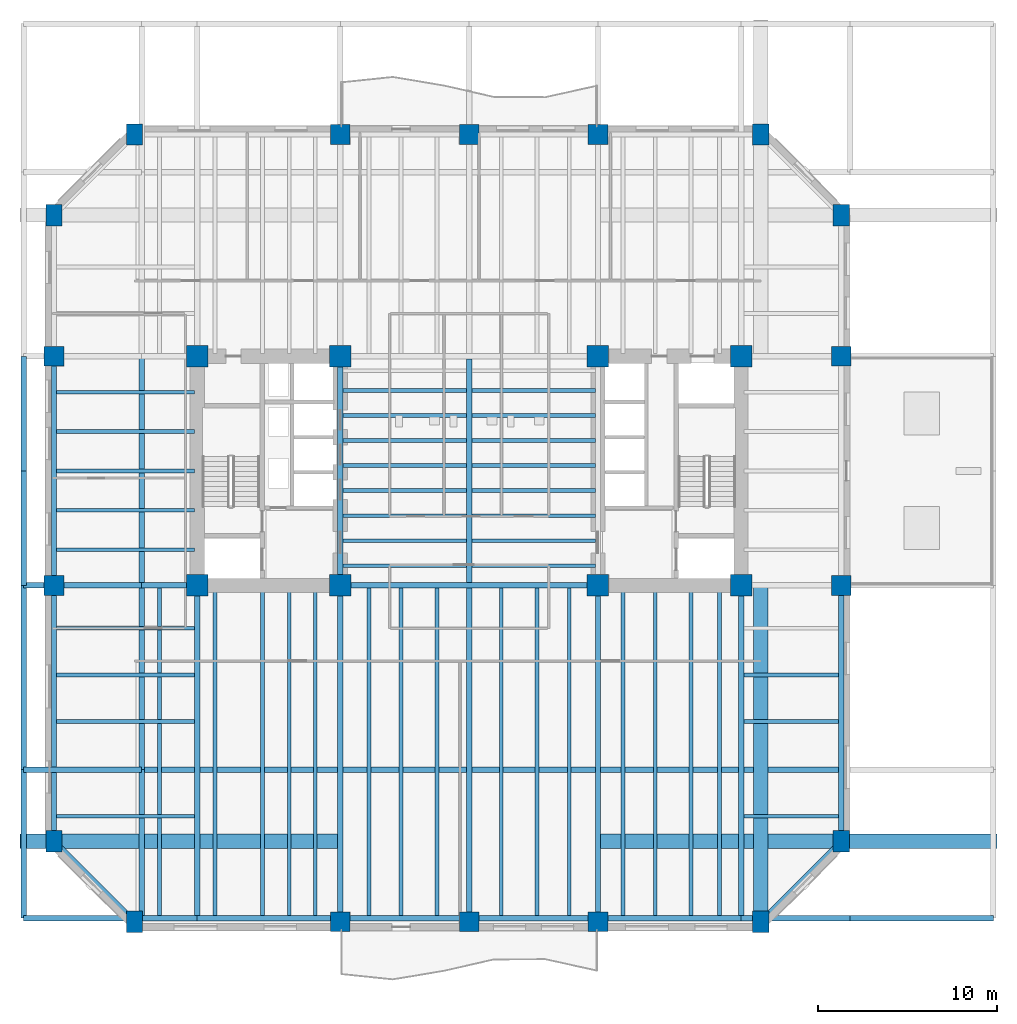
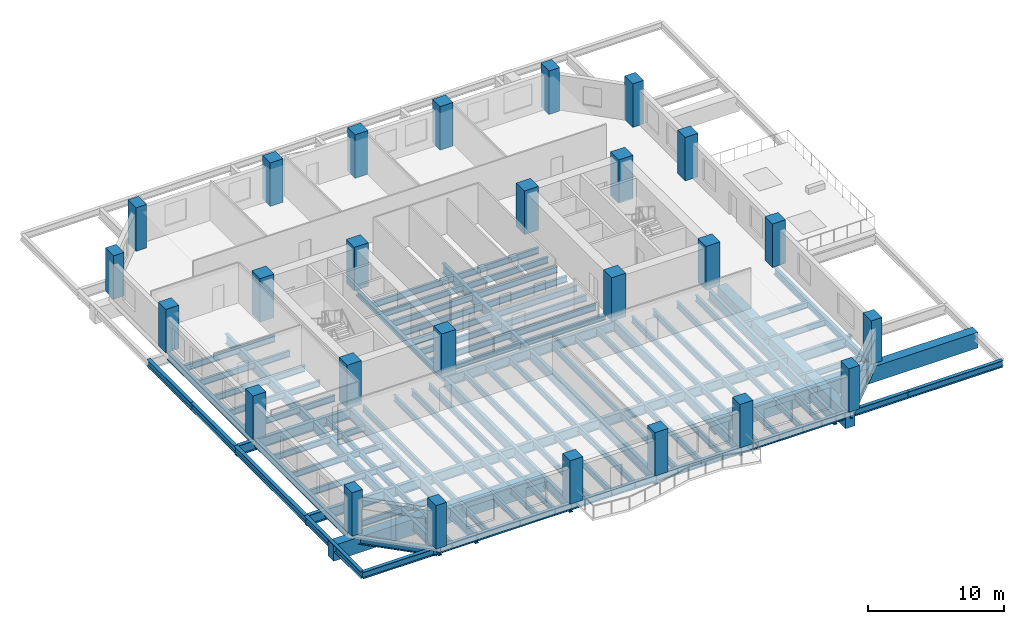
# One storey, part 1 of 11: 78 beams, 26 columns.
"""IFC4 building model written with IfcOpenShell, lengths in metres."""

from ifc_helpers import new_model, si_unit, direction, frame, origin, origin_2d, place, context, subcontext, project, spatial, rectangle, i_section, extrude, material, material_profile, profile_set, type_object, element, save


model = new_model("IFC4")

# Units and contexts
model_context = context("Model", 3, precision=1e-05, world=origin(), true_north=direction((0.0, 1.0)))
body_context = subcontext(model_context, "Body", "Model", "MODEL_VIEW")
ifc_project = project(units=[si_unit("LENGTHUNIT", "METRE"), si_unit("AREAUNIT", "SQUARE_METRE"), si_unit("VOLUMEUNIT", "CUBIC_METRE"), si_unit("PLANEANGLEUNIT", "RADIAN"), si_unit("MASSUNIT", "GRAM", prefix="KILO")], contexts=[model_context])

# Site, building, storey
site_placement = place(None, origin())
site = spatial("IfcSite", under=ifc_project, at=site_placement, CompositionType="ELEMENT")
building_placement = place(site_placement, origin())
building = spatial("IfcBuilding", under=site, at=building_placement, Name="Kranthara Brick Stack", CompositionType="ELEMENT")
storey_placement = place(building_placement, frame((0.0, 0.0, 24.300048828125)))
storey = spatial("IfcBuildingStorey", under=building, at=storey_placement, Name="L05", CompositionType="ELEMENT", Elevation=24.300048828125)

# Columns
ifc_material_1 = material(Name="Concrete C70/85", Category="concrete")
ifc_material_profile_1 = material_profile(ifc_material_1, rectangle(XDim=0.89990234375, YDim=1.199951171875, at=origin_2d()), Name="RC 900x1200")
ifc_profile_set_1 = profile_set([ifc_material_profile_1], Name="Concrete C70/85")
column_type_1 = type_object("IfcColumnType", Name="COL-CHAM-900x1200", PredefinedType="COLUMN", material=ifc_profile_set_1)
for number, where, z_axis, x_axis, name in (
    (1, (9.300048828125, 2.0, 0.0), (0.0, 0.0, 1.0), (1.0, 0.0, 0.0), "L05 Column 09"),
    (2, (9.300048828125, 46.0, 0.0), (0.0, 0.0, 1.0), (1.0, 0.0, 0.0), "L05 Column 10"),
    (3, (44.300048828125, 2.0, 0.0), (0.0, 0.0, 1.0), (1.0, 0.0, 0.0), "L05 Column 17"),
    (4, (44.300048828125, 46.0, 0.0), (0.0, 0.0, 1.0), (1.0, 0.0, 0.0), "L05 Column 18"),
    (5, (4.800048828125, 6.5, 0.0), (0.0, 0.0, 1.0), (1.0, 0.0, 0.0), "L05 Column 19"),
    (6, (48.800048828125, 6.5, 0.0), (0.0, 0.0, 1.0), (1.0, 0.0, 0.0), "L05 Column 20"),
    (7, (4.800048828125, 41.5, 0.0), (0.0, 0.0, 1.0), (1.0, 0.0, 0.0), "L05 Column 25"),
    (8, (48.800048828125, 41.5, 0.0), (0.0, 0.0, 1.0), (1.0, 0.0, 0.0), "L05 Column 26"),
):
    element("IfcColumn", number, at=place(storey_placement, frame(where, z_axis=z_axis, x_axis=x_axis)), inside=storey, type_object=column_type_1, Name=name, PredefinedType="COLUMN", context=body_context, shape_type="SweptSolid", body=[
        extrude(rectangle(XDim=0.89990234375, YDim=1.199951171875, at=origin_2d()), origin(), (0.0, 0.0, 1.0), 3.89990234375),
    ])
ifc_material_2 = material(Name="Concrete C70/85", Category="concrete")
ifc_material_profile_2 = material_profile(ifc_material_2, rectangle(XDim=1.199951171875, YDim=1.199951171875, at=origin_2d()), Name="RC 1200x1200")
ifc_profile_set_2 = profile_set([ifc_material_profile_2], Name="Concrete C70/85")
column_type_2 = type_object("IfcColumnType", Name="COL-CORE-1200", PredefinedType="COLUMN", material=ifc_profile_set_2)
for number, where, z_axis, x_axis, name in (
    (9, (12.800048828125, 20.800048828125, 0.0), (0.0, 0.0, 1.0), (1.0, 0.0, 0.0), "L05 Column 01"),
    (10, (20.800048828125, 20.800048828125, 0.0), (0.0, 0.0, 1.0), (1.0, 0.0, 0.0), "L05 Column 02"),
    (11, (12.800048828125, 33.60009765625, 0.0), (0.0, 0.0, 1.0), (1.0, 0.0, 0.0), "L05 Column 03"),
    (12, (20.800048828125, 33.60009765625, 0.0), (0.0, 0.0, 1.0), (1.0, 0.0, 0.0), "L05 Column 04"),
    (13, (35.199951171875, 20.800048828125, 0.0), (0.0, 0.0, 1.0), (1.0, 0.0, 0.0), "L05 Column 05"),
    (14, (43.199951171875, 20.800048828125, 0.0), (0.0, 0.0, 1.0), (1.0, 0.0, 0.0), "L05 Column 06"),
    (15, (35.199951171875, 33.60009765625, 0.0), (0.0, 0.0, 1.0), (1.0, 0.0, 0.0), "L05 Column 07"),
    (16, (43.199951171875, 33.60009765625, 0.0), (0.0, 0.0, 1.0), (1.0, 0.0, 0.0), "L05 Column 08"),
):
    element("IfcColumn", number, at=place(storey_placement, frame(where, z_axis=z_axis, x_axis=x_axis)), inside=storey, type_object=column_type_2, Name=name, PredefinedType="COLUMN", context=body_context, shape_type="SweptSolid", body=[
        extrude(rectangle(XDim=1.199951171875, YDim=1.199951171875, at=origin_2d()), origin(), (0.0, 0.0, 1.0), 3.89990234375),
    ])
ifc_material_3 = material(Name="Concrete C70/85", Category="concrete")
ifc_material_profile_3 = material_profile(ifc_material_3, rectangle(XDim=1.10009765625, YDim=1.10009765625, at=origin_2d()), Name="RC 1100x1100")
ifc_profile_set_3 = profile_set([ifc_material_profile_3], Name="Concrete C70/85")
column_type_3 = type_object("IfcColumnType", Name="COL-PER-1100", PredefinedType="COLUMN", material=ifc_profile_set_3)
for number, where, z_axis, x_axis, name in (
    (17, (20.800048828125, 2.0, 0.0), (0.0, 0.0, 1.0), (1.0, 0.0, 0.0), "L05 Column 11"),
    (18, (20.800048828125, 46.0, 0.0), (0.0, 0.0, 1.0), (1.0, 0.0, 0.0), "L05 Column 12"),
    (19, (28.0, 2.0, 0.0), (0.0, 0.0, 1.0), (1.0, 0.0, 0.0), "L05 Column 13"),
    (20, (28.0, 46.0, 0.0), (0.0, 0.0, 1.0), (1.0, 0.0, 0.0), "L05 Column 14"),
    (21, (35.199951171875, 2.0, 0.0), (0.0, 0.0, 1.0), (1.0, 0.0, 0.0), "L05 Column 15"),
    (22, (35.199951171875, 46.0, 0.0), (0.0, 0.0, 1.0), (1.0, 0.0, 0.0), "L05 Column 16"),
    (23, (4.800048828125, 20.800048828125, 0.0), (0.0, 0.0, 1.0), (1.0, 0.0, 0.0), "L05 Column 21"),
    (24, (48.800048828125, 20.800048828125, 0.0), (0.0, 0.0, 1.0), (1.0, 0.0, 0.0), "L05 Column 22"),
    (25, (4.800048828125, 33.60009765625, 0.0), (0.0, 0.0, 1.0), (1.0, 0.0, 0.0), "L05 Column 23"),
    (26, (48.800048828125, 33.60009765625, 0.0), (0.0, 0.0, 1.0), (1.0, 0.0, 0.0), "L05 Column 24"),
):
    element("IfcColumn", number, at=place(storey_placement, frame(where, z_axis=z_axis, x_axis=x_axis)), inside=storey, type_object=column_type_3, Name=name, PredefinedType="COLUMN", context=body_context, shape_type="SweptSolid", body=[
        extrude(rectangle(XDim=1.10009765625, YDim=1.10009765625, at=origin_2d()), origin(), (0.0, 0.0, 1.0), 3.89990234375),
    ])

# Beams
ifc_material_4 = material(Name="Steel S355", Category="steel")
ifc_material_profile_4 = material_profile(ifc_material_4, i_section(OverallWidth=0.2099609375, OverallDepth=0.550048828125, WebThickness=0.010986328125, FlangeThickness=0.01708984375, at=origin_2d()), Name="IPE 550")
ifc_profile_set_4 = profile_set([ifc_material_profile_4], Name="Steel S355")
beam_type_1 = type_object("IfcBeamType", Name="BM-JST-IPE550", PredefinedType="JOIST", material=ifc_profile_set_4)
for number, where, z_axis, x_axis, name in (
    (27, (20.949951171875, 21.89990234375, -0.72509765625), (1.0, 0.0, 0.0), (0.0, 1.0, 0.0), "L05 Central Floor Joist 084"),
    (28, (28.14990234375, 21.89990234375, -0.72509765625), (1.0, 0.0, 0.0), (0.0, 1.0, 0.0), "L05 Central Floor Joist 085"),
    (29, (20.949951171875, 23.300048828125, -0.72509765625), (1.0, 0.0, 0.0), (0.0, 1.0, 0.0), "L05 Central Floor Joist 086"),
    (30, (28.14990234375, 23.300048828125, -0.72509765625), (1.0, 0.0, 0.0), (0.0, 1.0, 0.0), "L05 Central Floor Joist 087"),
    (31, (20.949951171875, 24.699951171875, -0.72509765625), (1.0, 0.0, 0.0), (0.0, 1.0, 0.0), "L05 Central Floor Joist 088"),
    (32, (28.14990234375, 24.699951171875, -0.72509765625), (1.0, 0.0, 0.0), (0.0, 1.0, 0.0), "L05 Central Floor Joist 089"),
    (33, (20.949951171875, 26.10009765625, -0.72509765625), (1.0, 0.0, 0.0), (0.0, 1.0, 0.0), "L05 Central Floor Joist 090"),
    (34, (28.14990234375, 26.10009765625, -0.72509765625), (1.0, 0.0, 0.0), (0.0, 1.0, 0.0), "L05 Central Floor Joist 091"),
    (35, (20.949951171875, 27.5, -0.72509765625), (1.0, 0.0, 0.0), (0.0, 1.0, 0.0), "L05 Central Floor Joist 092"),
    (36, (28.14990234375, 27.5, -0.72509765625), (1.0, 0.0, 0.0), (0.0, 1.0, 0.0), "L05 Central Floor Joist 093"),
    (37, (20.949951171875, 28.89990234375, -0.72509765625), (1.0, 0.0, 0.0), (0.0, 1.0, 0.0), "L05 Central Floor Joist 094"),
    (38, (28.14990234375, 28.89990234375, -0.72509765625), (1.0, 0.0, 0.0), (0.0, 1.0, 0.0), "L05 Central Floor Joist 095"),
    (39, (20.949951171875, 30.300048828125, -0.72509765625), (1.0, 0.0, 0.0), (0.0, 1.0, 0.0), "L05 Central Floor Joist 096"),
    (40, (28.14990234375, 30.300048828125, -0.72509765625), (1.0, 0.0, 0.0), (0.0, 1.0, 0.0), "L05 Central Floor Joist 097"),
    (41, (20.949951171875, 31.699951171875, -0.72509765625), (1.0, 0.0, 0.0), (0.0, 1.0, 0.0), "L05 Central Floor Joist 098"),
    (42, (28.14990234375, 31.699951171875, -0.72509765625), (1.0, 0.0, 0.0), (0.0, 1.0, 0.0), "L05 Central Floor Joist 099"),
):
    element("IfcBeam", number, at=place(storey_placement, frame(where, z_axis=z_axis, x_axis=x_axis)), inside=storey, type_object=beam_type_1, Name=name, PredefinedType="JOIST", context=body_context, shape_type="SweptSolid", body=[
        extrude(i_section(OverallWidth=0.2099609375, OverallDepth=0.550048828125, WebThickness=0.010986328125, FlangeThickness=0.01708984375, at=origin_2d()), origin(), (0.0, 0.0, 1.0), 6.900146484375),
    ])
for number, where, z_axis, x_axis, name in (
    (43, (10.699951171875, 2.14990234375, -0.72509765625), (0.0, 1.0, 0.0), (-1.0, 0.0, 0.0), "L05 South Wing Floor Joist 102"),
    (44, (13.800048828125, 2.14990234375, -0.72509765625), (0.0, 1.0, 0.0), (-1.0, 0.0, 0.0), "L05 South Wing Floor Joist 104"),
    (45, (16.449951171875, 2.14990234375, -0.72509765625), (0.0, 1.0, 0.0), (-1.0, 0.0, 0.0), "L05 South Wing Floor Joist 106"),
    (46, (17.949951171875, 2.14990234375, -0.72509765625), (0.0, 1.0, 0.0), (-1.0, 0.0, 0.0), "L05 South Wing Floor Joist 108"),
    (47, (19.39990234375, 2.14990234375, -0.72509765625), (0.0, 1.0, 0.0), (-1.0, 0.0, 0.0), "L05 South Wing Floor Joist 110"),
    (48, (22.39990234375, 2.14990234375, -0.72509765625), (0.0, 1.0, 0.0), (-1.0, 0.0, 0.0), "L05 South Wing Floor Joist 112"),
    (49, (24.199951171875, 2.14990234375, -0.72509765625), (0.0, 1.0, 0.0), (-1.0, 0.0, 0.0), "L05 South Wing Floor Joist 114"),
    (50, (26.199951171875, 2.14990234375, -0.72509765625), (0.0, 1.0, 0.0), (-1.0, 0.0, 0.0), "L05 South Wing Floor Joist 116"),
    (51, (29.800048828125, 2.14990234375, -0.72509765625), (0.0, 1.0, 0.0), (-1.0, 0.0, 0.0), "L05 South Wing Floor Joist 118"),
    (52, (31.800048828125, 2.14990234375, -0.72509765625), (0.0, 1.0, 0.0), (-1.0, 0.0, 0.0), "L05 South Wing Floor Joist 120"),
    (53, (33.60009765625, 2.14990234375, -0.72509765625), (0.0, 1.0, 0.0), (-1.0, 0.0, 0.0), "L05 South Wing Floor Joist 122"),
    (54, (36.60009765625, 2.14990234375, -0.72509765625), (0.0, 1.0, 0.0), (-1.0, 0.0, 0.0), "L05 South Wing Floor Joist 124"),
    (55, (38.39990234375, 2.14990234375, -0.72509765625), (0.0, 1.0, 0.0), (-1.0, 0.0, 0.0), "L05 South Wing Floor Joist 126"),
    (56, (40.39990234375, 2.14990234375, -0.72509765625), (0.0, 1.0, 0.0), (-1.0, 0.0, 0.0), "L05 South Wing Floor Joist 128"),
    (57, (42.0, 2.14990234375, -0.72509765625), (0.0, 1.0, 0.0), (-1.0, 0.0, 0.0), "L05 South Wing Floor Joist 130"),
):
    element("IfcBeam", number, at=place(storey_placement, frame(where, z_axis=z_axis, x_axis=x_axis)), inside=storey, type_object=beam_type_1, Name=name, PredefinedType="JOIST", context=body_context, shape_type="SweptSolid", body=[
        extrude(i_section(OverallWidth=0.2099609375, OverallDepth=0.550048828125, WebThickness=0.010986328125, FlangeThickness=0.01708984375, at=origin_2d()), origin(), (0.0, 0.0, 1.0), 18.5),
    ])
beam_1_placement = place(storey_placement, frame((4.949951171875, 7.89990234375, -0.72509765625), z_axis=(1.0, 0.0, 0.0), x_axis=(0.0, 1.0, 0.0)))
element("IfcBeam", 58, at=beam_1_placement, inside=storey, type_object=beam_type_1, Name="L05 West Wing Floor Joist 132", PredefinedType="JOIST", context=body_context, shape_type="SweptSolid", body=[
    extrude(i_section(OverallWidth=0.2099609375, OverallDepth=0.550048828125, WebThickness=0.010986328125, FlangeThickness=0.01708984375, at=origin_2d()), origin(), (0.0, 0.0, 1.0), 7.699951171875),
])
beam_2_placement = place(storey_placement, frame((43.35009765625, 7.89990234375, -0.72509765625), z_axis=(1.0, 0.0, 0.0), x_axis=(0.0, 1.0, 0.0)))
element("IfcBeam", 59, at=beam_2_placement, inside=storey, type_object=beam_type_1, Name="L05 East Wing Floor Joist 133", PredefinedType="JOIST", context=body_context, shape_type="SweptSolid", body=[
    extrude(i_section(OverallWidth=0.2099609375, OverallDepth=0.550048828125, WebThickness=0.010986328125, FlangeThickness=0.01708984375, at=origin_2d()), origin(), (0.0, 0.0, 1.0), 5.2998046875),
])
beam_3_placement = place(storey_placement, frame((4.949951171875, 13.199951171875, -0.72509765625), z_axis=(1.0, 0.0, 0.0), x_axis=(0.0, 1.0, 0.0)))
element("IfcBeam", 60, at=beam_3_placement, inside=storey, type_object=beam_type_1, Name="L05 West Wing Floor Joist 134", PredefinedType="JOIST", context=body_context, shape_type="SweptSolid", body=[
    extrude(i_section(OverallWidth=0.2099609375, OverallDepth=0.550048828125, WebThickness=0.010986328125, FlangeThickness=0.01708984375, at=origin_2d()), origin(), (0.0, 0.0, 1.0), 7.699951171875),
])
beam_4_placement = place(storey_placement, frame((43.35009765625, 13.199951171875, -0.72509765625), z_axis=(1.0, 0.0, 0.0), x_axis=(0.0, 1.0, 0.0)))
element("IfcBeam", 61, at=beam_4_placement, inside=storey, type_object=beam_type_1, Name="L05 East Wing Floor Joist 135", PredefinedType="JOIST", context=body_context, shape_type="SweptSolid", body=[
    extrude(i_section(OverallWidth=0.2099609375, OverallDepth=0.550048828125, WebThickness=0.010986328125, FlangeThickness=0.01708984375, at=origin_2d()), origin(), (0.0, 0.0, 1.0), 5.2998046875),
])
beam_5_placement = place(storey_placement, frame((4.949951171875, 15.800048828125, -0.72509765625), z_axis=(1.0, 0.0, 0.0), x_axis=(0.0, 1.0, 0.0)))
element("IfcBeam", 62, at=beam_5_placement, inside=storey, type_object=beam_type_1, Name="L05 West Wing Floor Joist 136", PredefinedType="JOIST", context=body_context, shape_type="SweptSolid", body=[
    extrude(i_section(OverallWidth=0.2099609375, OverallDepth=0.550048828125, WebThickness=0.010986328125, FlangeThickness=0.01708984375, at=origin_2d()), origin(), (0.0, 0.0, 1.0), 7.699951171875),
])
beam_6_placement = place(storey_placement, frame((43.35009765625, 15.800048828125, -0.72509765625), z_axis=(1.0, 0.0, 0.0), x_axis=(0.0, 1.0, 0.0)))
element("IfcBeam", 63, at=beam_6_placement, inside=storey, type_object=beam_type_1, Name="L05 East Wing Floor Joist 137", PredefinedType="JOIST", context=body_context, shape_type="SweptSolid", body=[
    extrude(i_section(OverallWidth=0.2099609375, OverallDepth=0.550048828125, WebThickness=0.010986328125, FlangeThickness=0.01708984375, at=origin_2d()), origin(), (0.0, 0.0, 1.0), 5.2998046875),
])
for number, where, z_axis, x_axis, name in (
    (64, (4.949951171875, 18.39990234375, -0.72509765625), (1.0, 0.0, 0.0), (0.0, 1.0, 0.0), "L05 West Wing Floor Joist 138"),
    (65, (4.949951171875, 22.800048828125, -0.72509765625), (1.0, 0.0, 0.0), (0.0, 1.0, 0.0), "L05 West Wing Floor Joist 140"),
    (66, (4.949951171875, 25.0, -0.72509765625), (1.0, 0.0, 0.0), (0.0, 1.0, 0.0), "L05 West Wing Floor Joist 142"),
    (67, (4.949951171875, 27.199951171875, -0.72509765625), (1.0, 0.0, 0.0), (0.0, 1.0, 0.0), "L05 West Wing Floor Joist 144"),
    (68, (4.949951171875, 29.39990234375, -0.72509765625), (1.0, 0.0, 0.0), (0.0, 1.0, 0.0), "L05 West Wing Floor Joist 146"),
    (69, (4.949951171875, 31.60009765625, -0.72509765625), (1.0, 0.0, 0.0), (0.0, 1.0, 0.0), "L05 West Wing Floor Joist 148"),
):
    element("IfcBeam", number, at=place(storey_placement, frame(where, z_axis=z_axis, x_axis=x_axis)), inside=storey, type_object=beam_type_1, Name=name, PredefinedType="JOIST", context=body_context, shape_type="SweptSolid", body=[
        extrude(i_section(OverallWidth=0.2099609375, OverallDepth=0.550048828125, WebThickness=0.010986328125, FlangeThickness=0.01708984375, at=origin_2d()), origin(), (0.0, 0.0, 1.0), 7.699951171875),
    ])
ifc_material_5 = material(Name="Steel S355", Category="steel")
ifc_material_profile_5 = material_profile(ifc_material_5, i_section(OverallWidth=0.300048828125, OverallDepth=0.449951171875, WebThickness=0.013916015625, FlangeThickness=0.02587890625, at=origin_2d()), Name="HEB 450")
ifc_profile_set_5 = profile_set([ifc_material_profile_5], Name="Steel S355")
beam_type_2 = type_object("IfcBeamType", Name="BM-STL-HEB450", PredefinedType="SPANDREL", material=ifc_profile_set_5)
beam_7_placement = place(storey_placement, frame((20.800048828125, 20.800048828125, -0.675048828125), z_axis=(0.0, 1.0, 0.0), x_axis=(-1.0, 0.0, 0.0)))
element("IfcBeam", 70, at=beam_7_placement, inside=storey, type_object=beam_type_2, Name="L05 Core Edge Tie Beam 003", PredefinedType="SPANDREL", context=body_context, shape_type="SweptSolid", body=[
    extrude(i_section(OverallWidth=0.300048828125, OverallDepth=0.449951171875, WebThickness=0.013916015625, FlangeThickness=0.02587890625, at=origin_2d()), origin(), (0.0, 0.0, 1.0), 12.800048828125),
])
ifc_material_6 = material(Name="Steel S355", Category="steel")
ifc_material_profile_6 = material_profile(ifc_material_6, i_section(OverallWidth=0.300048828125, OverallDepth=0.60009765625, WebThickness=0.015380859375, FlangeThickness=0.030029296875, at=origin_2d()), Name="HEB 600")
ifc_profile_set_6 = profile_set([ifc_material_profile_6], Name="Steel S355")
beam_type_3 = type_object("IfcBeamType", Name="BM-STL-HEB600", PredefinedType="BEAM", material=ifc_profile_set_6)
beam_8_placement = place(storey_placement, frame((3.10009765625, 2.199951171875, -0.75), z_axis=(1.0, 0.0, 0.0), x_axis=(0.0, 1.0, 0.0)))
element("IfcBeam", 71, at=beam_8_placement, inside=storey, type_object=beam_type_3, Name="L05 Perimeter Spandrel Beam 005", PredefinedType="BEAM", context=body_context, shape_type="SweptSolid", body=[
    extrude(i_section(OverallWidth=0.300048828125, OverallDepth=0.60009765625, WebThickness=0.015380859375, FlangeThickness=0.030029296875, at=origin_2d()), origin(), (0.0, 0.0, 1.0), 6.599853515625),
])
beam_9_placement = place(storey_placement, frame((9.699951171875, 2.199951171875, -0.75), z_axis=(1.0, 0.0, 0.0), x_axis=(0.0, 1.0, 0.0)))
element("IfcBeam", 72, at=beam_9_placement, inside=storey, type_object=beam_type_3, Name="L05 Perimeter Spandrel Beam 006", PredefinedType="BEAM", context=body_context, shape_type="SweptSolid", body=[
    extrude(i_section(OverallWidth=0.300048828125, OverallDepth=0.60009765625, WebThickness=0.015380859375, FlangeThickness=0.030029296875, at=origin_2d()), origin(), (0.0, 0.0, 1.0), 3.10009765625),
])
beam_10_placement = place(storey_placement, frame((12.800048828125, 2.199951171875, -0.75), z_axis=(1.0, 0.0, 0.0), x_axis=(0.0, 1.0, 0.0)))
element("IfcBeam", 73, at=beam_10_placement, inside=storey, type_object=beam_type_3, Name="L05 Perimeter Spandrel Beam 007", PredefinedType="BEAM", context=body_context, shape_type="SweptSolid", body=[
    extrude(i_section(OverallWidth=0.300048828125, OverallDepth=0.60009765625, WebThickness=0.015380859375, FlangeThickness=0.030029296875, at=origin_2d()), origin(), (0.0, 0.0, 1.0), 8.0),
])
for number, where, z_axis, x_axis, name in (
    (74, (20.800048828125, 2.199951171875, -0.75), (1.0, 0.0, 0.0), (0.0, 1.0, 0.0), "L05 Perimeter Spandrel Beam 008"),
    (75, (28.0, 2.199951171875, -0.75), (1.0, 0.0, 0.0), (0.0, 1.0, 0.0), "L05 Perimeter Spandrel Beam 009"),
):
    element("IfcBeam", number, at=place(storey_placement, frame(where, z_axis=z_axis, x_axis=x_axis)), inside=storey, type_object=beam_type_3, Name=name, PredefinedType="BEAM", context=body_context, shape_type="SweptSolid", body=[
        extrude(i_section(OverallWidth=0.300048828125, OverallDepth=0.60009765625, WebThickness=0.015380859375, FlangeThickness=0.030029296875, at=origin_2d()), origin(), (0.0, 0.0, 1.0), 7.199951171875),
    ])
beam_11_placement = place(storey_placement, frame((35.199951171875, 2.199951171875, -0.75), z_axis=(1.0, 0.0, 0.0), x_axis=(0.0, 1.0, 0.0)))
element("IfcBeam", 76, at=beam_11_placement, inside=storey, type_object=beam_type_3, Name="L05 Perimeter Spandrel Beam 010", PredefinedType="BEAM", context=body_context, shape_type="SweptSolid", body=[
    extrude(i_section(OverallWidth=0.300048828125, OverallDepth=0.60009765625, WebThickness=0.015380859375, FlangeThickness=0.030029296875, at=origin_2d()), origin(), (0.0, 0.0, 1.0), 8.0),
])
beam_12_placement = place(storey_placement, frame((43.199951171875, 2.199951171875, -0.75), z_axis=(1.0, 0.0, 0.0), x_axis=(0.0, 1.0, 0.0)))
element("IfcBeam", 77, at=beam_12_placement, inside=storey, type_object=beam_type_3, Name="L05 Perimeter Spandrel Beam 011", PredefinedType="BEAM", context=body_context, shape_type="SweptSolid", body=[
    extrude(i_section(OverallWidth=0.300048828125, OverallDepth=0.60009765625, WebThickness=0.015380859375, FlangeThickness=0.030029296875, at=origin_2d()), origin(), (0.0, 0.0, 1.0), 6.10009765625),
])
beam_13_placement = place(storey_placement, frame((49.300048828125, 2.199951171875, -0.75), z_axis=(1.0, 0.0, 0.0), x_axis=(0.0, 1.0, 0.0)))
element("IfcBeam", 78, at=beam_13_placement, inside=storey, type_object=beam_type_3, Name="L05 Perimeter Spandrel Beam 012", PredefinedType="BEAM", context=body_context, shape_type="SweptSolid", body=[
    extrude(i_section(OverallWidth=0.300048828125, OverallDepth=0.60009765625, WebThickness=0.015380859375, FlangeThickness=0.030029296875, at=origin_2d()), origin(), (0.0, 0.0, 1.0), 8.0),
])
beam_14_placement = place(storey_placement, frame((3.10009765625, 2.199951171875, -0.75), z_axis=(0.0, 1.0, 0.0), x_axis=(-1.0, 0.0, 0.0)))
element("IfcBeam", 79, at=beam_14_placement, inside=storey, type_object=beam_type_3, Name="L05 Perimeter Spandrel Beam 021", PredefinedType="BEAM", context=body_context, shape_type="SweptSolid", body=[
    extrude(i_section(OverallWidth=0.300048828125, OverallDepth=0.60009765625, WebThickness=0.015380859375, FlangeThickness=0.030029296875, at=origin_2d()), origin(), (0.0, 0.0, 1.0), 8.300048828125),
])
beam_15_placement = place(storey_placement, frame((3.10009765625, 10.5, -0.75), z_axis=(0.0, 1.0, 0.0), x_axis=(-1.0, 0.0, 0.0)))
element("IfcBeam", 80, at=beam_15_placement, inside=storey, type_object=beam_type_3, Name="L05 Perimeter Spandrel Beam 022", PredefinedType="BEAM", context=body_context, shape_type="SweptSolid", body=[
    extrude(i_section(OverallWidth=0.300048828125, OverallDepth=0.60009765625, WebThickness=0.015380859375, FlangeThickness=0.030029296875, at=origin_2d()), origin(), (0.0, 0.0, 1.0), 10.300048828125),
])
beam_16_placement = place(storey_placement, frame((3.10009765625, 20.800048828125, -0.75), z_axis=(0.0, 1.0, 0.0), x_axis=(-1.0, 0.0, 0.0)))
element("IfcBeam", 81, at=beam_16_placement, inside=storey, type_object=beam_type_3, Name="L05 Perimeter Spandrel Beam 023", PredefinedType="BEAM", context=body_context, shape_type="SweptSolid", body=[
    extrude(i_section(OverallWidth=0.300048828125, OverallDepth=0.60009765625, WebThickness=0.015380859375, FlangeThickness=0.030029296875, at=origin_2d()), origin(), (0.0, 0.0, 1.0), 6.39990234375),
])
beam_17_placement = place(storey_placement, frame((3.10009765625, 27.199951171875, -0.75), z_axis=(0.0, 1.0, 0.0), x_axis=(-1.0, 0.0, 0.0)))
element("IfcBeam", 82, at=beam_17_placement, inside=storey, type_object=beam_type_3, Name="L05 Perimeter Spandrel Beam 024", PredefinedType="BEAM", context=body_context, shape_type="SweptSolid", body=[
    extrude(i_section(OverallWidth=0.300048828125, OverallDepth=0.60009765625, WebThickness=0.015380859375, FlangeThickness=0.030029296875, at=origin_2d()), origin(), (0.0, 0.0, 1.0), 6.400146484375),
])
beam_18_placement = place(storey_placement, frame((4.800048828125, 6.5, -0.75), z_axis=(0.0, 1.0, 0.0), x_axis=(-1.0, 0.0, 0.0)))
element("IfcBeam", 83, at=beam_18_placement, inside=storey, type_object=beam_type_3, Name="L05 Perimeter Spandrel Beam 037", PredefinedType="BEAM", context=body_context, shape_type="SweptSolid", body=[
    extrude(i_section(OverallWidth=0.300048828125, OverallDepth=0.60009765625, WebThickness=0.015380859375, FlangeThickness=0.030029296875, at=origin_2d()), origin(), (0.0, 0.0, 1.0), 14.300048828125),
])
beam_19_placement = place(storey_placement, frame((4.800048828125, 20.800048828125, -0.75), z_axis=(0.0, 1.0, 0.0), x_axis=(-1.0, 0.0, 0.0)))
element("IfcBeam", 84, at=beam_19_placement, inside=storey, type_object=beam_type_3, Name="L05 Perimeter Spandrel Beam 038", PredefinedType="BEAM", context=body_context, shape_type="SweptSolid", body=[
    extrude(i_section(OverallWidth=0.300048828125, OverallDepth=0.60009765625, WebThickness=0.015380859375, FlangeThickness=0.030029296875, at=origin_2d()), origin(), (0.0, 0.0, 1.0), 12.800048828125),
])
beam_20_placement = place(storey_placement, frame((48.800048828125, 6.5, -0.75), z_axis=(0.0, 1.0, 0.0), x_axis=(-1.0, 0.0, 0.0)))
element("IfcBeam", 85, at=beam_20_placement, inside=storey, type_object=beam_type_3, Name="L05 Perimeter Spandrel Beam 040", PredefinedType="BEAM", context=body_context, shape_type="SweptSolid", body=[
    extrude(i_section(OverallWidth=0.300048828125, OverallDepth=0.60009765625, WebThickness=0.015380859375, FlangeThickness=0.030029296875, at=origin_2d()), origin(), (0.0, 0.0, 1.0), 14.300048828125),
])
for number, where, z_axis, x_axis, name in (
    (86, (9.300048828125, 2.0, -0.75), (-0.707106781187, 0.707106781187, 0.0), (-0.707106781187, -0.707106781187, 0.0), "L05 Chamfer Corner Spandrel 043"),
    (87, (44.300048828125, 2.0, -0.75), (0.707106781187, 0.707106781187, 0.0), (-0.707106781187, 0.707106781187, 0.0), "L05 Chamfer Corner Spandrel 044"),
):
    element("IfcBeam", number, at=place(storey_placement, frame(where, z_axis=z_axis, x_axis=x_axis)), inside=storey, type_object=beam_type_3, Name=name, PredefinedType="BEAM", context=body_context, shape_type="SweptSolid", body=[
        extrude(i_section(OverallWidth=0.300048828125, OverallDepth=0.60009765625, WebThickness=0.015380859375, FlangeThickness=0.030029296875, at=origin_2d()), origin(), (0.0, 0.0, 1.0), 6.364013671875),
    ])
ifc_material_7 = material(Name="Steel S460", Category="steel")
ifc_material_profile_7 = material_profile(ifc_material_7, i_section(OverallWidth=0.300048828125, OverallDepth=0.89990234375, WebThickness=0.0185546875, FlangeThickness=0.034912109375, at=origin_2d()), Name="HEB 900")
ifc_profile_set_7 = profile_set([ifc_material_profile_7], Name="Steel S460")
beam_type_4 = type_object("IfcBeamType", Name="BM-TR-HEB900", PredefinedType="BEAM", material=ifc_profile_set_7)
beam_21_placement = place(storey_placement, frame((20.800048828125, 20.800048828125, -0.900146484375), z_axis=(1.0, 0.0, 0.0), x_axis=(0.0, 1.0, 0.0)))
element("IfcBeam", 88, at=beam_21_placement, inside=storey, type_object=beam_type_4, Name="L05 Core Coupling Beam 001", PredefinedType="BEAM", context=body_context, shape_type="SweptSolid", body=[
    extrude(i_section(OverallWidth=0.300048828125, OverallDepth=0.89990234375, WebThickness=0.0185546875, FlangeThickness=0.034912109375, at=origin_2d()), origin(), (0.0, 0.0, 1.0), 14.39990234375),
])
beam_22_placement = place(storey_placement, frame((9.699951171875, 2.199951171875, -0.900146484375), z_axis=(0.0, 1.0, 0.0), x_axis=(-1.0, 0.0, 0.0)))
element("IfcBeam", 89, at=beam_22_placement, inside=storey, type_object=beam_type_4, Name="L05 Primary Grid Girder 047", PredefinedType="BEAM", context=body_context, shape_type="SweptSolid", body=[
    extrude(i_section(OverallWidth=0.300048828125, OverallDepth=0.89990234375, WebThickness=0.0185546875, FlangeThickness=0.034912109375, at=origin_2d()), origin(), (0.0, 0.0, 1.0), 8.300048828125),
])
beam_23_placement = place(storey_placement, frame((9.699951171875, 10.5, -0.900146484375), z_axis=(0.0, 1.0, 0.0), x_axis=(-1.0, 0.0, 0.0)))
element("IfcBeam", 90, at=beam_23_placement, inside=storey, type_object=beam_type_4, Name="L05 Primary Grid Girder 048", PredefinedType="BEAM", context=body_context, shape_type="SweptSolid", body=[
    extrude(i_section(OverallWidth=0.300048828125, OverallDepth=0.89990234375, WebThickness=0.0185546875, FlangeThickness=0.034912109375, at=origin_2d()), origin(), (0.0, 0.0, 1.0), 10.300048828125),
])
beam_24_placement = place(storey_placement, frame((9.699951171875, 20.800048828125, -0.900146484375), z_axis=(0.0, 1.0, 0.0), x_axis=(-1.0, 0.0, 0.0)))
element("IfcBeam", 91, at=beam_24_placement, inside=storey, type_object=beam_type_4, Name="L05 Primary Grid Girder 049", PredefinedType="BEAM", context=body_context, shape_type="SweptSolid", body=[
    extrude(i_section(OverallWidth=0.300048828125, OverallDepth=0.89990234375, WebThickness=0.0185546875, FlangeThickness=0.034912109375, at=origin_2d()), origin(), (0.0, 0.0, 1.0), 12.800048828125),
])
for number, where, z_axis, x_axis, name in (
    (92, (12.800048828125, 2.199951171875, -0.900146484375), (0.0, 1.0, 0.0), (-1.0, 0.0, 0.0), "L05 Primary Grid Girder 052"),
    (93, (20.800048828125, 2.199951171875, -0.900146484375), (0.0, 1.0, 0.0), (-1.0, 0.0, 0.0), "L05 Primary Grid Girder 054"),
):
    element("IfcBeam", number, at=place(storey_placement, frame(where, z_axis=z_axis, x_axis=x_axis)), inside=storey, type_object=beam_type_4, Name=name, PredefinedType="BEAM", context=body_context, shape_type="SweptSolid", body=[
        extrude(i_section(OverallWidth=0.300048828125, OverallDepth=0.89990234375, WebThickness=0.0185546875, FlangeThickness=0.034912109375, at=origin_2d()), origin(), (0.0, 0.0, 1.0), 18.60009765625),
    ])
beam_25_placement = place(storey_placement, frame((28.0, 2.199951171875, -0.900146484375), z_axis=(0.0, 1.0, 0.0), x_axis=(-1.0, 0.0, 0.0)))
element("IfcBeam", 94, at=beam_25_placement, inside=storey, type_object=beam_type_4, Name="L05 Primary Grid Girder 056", PredefinedType="BEAM", context=body_context, shape_type="SweptSolid", body=[
    extrude(i_section(OverallWidth=0.300048828125, OverallDepth=0.89990234375, WebThickness=0.0185546875, FlangeThickness=0.034912109375, at=origin_2d()), origin(), (0.0, 0.0, 1.0), 18.449951171875),
])
beam_26_placement = place(storey_placement, frame((28.0, 20.949951171875, -0.900146484375), z_axis=(0.0, 1.0, 0.0), x_axis=(-1.0, 0.0, 0.0)))
element("IfcBeam", 95, at=beam_26_placement, inside=storey, type_object=beam_type_4, Name="L05 Central Spine Girder 057", PredefinedType="BEAM", context=body_context, shape_type="SweptSolid", body=[
    extrude(i_section(OverallWidth=0.300048828125, OverallDepth=0.89990234375, WebThickness=0.0185546875, FlangeThickness=0.034912109375, at=origin_2d()), origin(), (0.0, 0.0, 1.0), 12.5),
])
for number, where, z_axis, x_axis, name in (
    (96, (35.199951171875, 2.199951171875, -0.900146484375), (0.0, 1.0, 0.0), (-1.0, 0.0, 0.0), "L05 Primary Grid Girder 059"),
    (97, (43.199951171875, 2.199951171875, -0.900146484375), (0.0, 1.0, 0.0), (-1.0, 0.0, 0.0), "L05 Primary Grid Girder 061"),
):
    element("IfcBeam", number, at=place(storey_placement, frame(where, z_axis=z_axis, x_axis=x_axis)), inside=storey, type_object=beam_type_4, Name=name, PredefinedType="BEAM", context=body_context, shape_type="SweptSolid", body=[
        extrude(i_section(OverallWidth=0.300048828125, OverallDepth=0.89990234375, WebThickness=0.0185546875, FlangeThickness=0.034912109375, at=origin_2d()), origin(), (0.0, 0.0, 1.0), 18.60009765625),
    ])
beam_27_placement = place(storey_placement, frame((3.10009765625, 10.5, -0.900146484375), z_axis=(1.0, 0.0, 0.0), x_axis=(0.0, 1.0, 0.0)))
element("IfcBeam", 98, at=beam_27_placement, inside=storey, type_object=beam_type_4, Name="L05 Primary Grid Girder 064", PredefinedType="BEAM", context=body_context, shape_type="SweptSolid", body=[
    extrude(i_section(OverallWidth=0.300048828125, OverallDepth=0.89990234375, WebThickness=0.0185546875, FlangeThickness=0.034912109375, at=origin_2d()), origin(), (0.0, 0.0, 1.0), 6.599853515625),
])
beam_28_placement = place(storey_placement, frame((9.699951171875, 10.5, -0.900146484375), z_axis=(1.0, 0.0, 0.0), x_axis=(0.0, 1.0, 0.0)))
element("IfcBeam", 99, at=beam_28_placement, inside=storey, type_object=beam_type_4, Name="L05 Primary Grid Girder 065", PredefinedType="BEAM", context=body_context, shape_type="SweptSolid", body=[
    extrude(i_section(OverallWidth=0.300048828125, OverallDepth=0.89990234375, WebThickness=0.0185546875, FlangeThickness=0.034912109375, at=origin_2d()), origin(), (0.0, 0.0, 1.0), 39.60009765625),
])
beam_29_placement = place(storey_placement, frame((3.10009765625, 20.800048828125, -0.900146484375), z_axis=(1.0, 0.0, 0.0), x_axis=(0.0, 1.0, 0.0)))
element("IfcBeam", 100, at=beam_29_placement, inside=storey, type_object=beam_type_4, Name="L05 Primary Grid Girder 067", PredefinedType="BEAM", context=body_context, shape_type="SweptSolid", body=[
    extrude(i_section(OverallWidth=0.300048828125, OverallDepth=0.89990234375, WebThickness=0.0185546875, FlangeThickness=0.034912109375, at=origin_2d()), origin(), (0.0, 0.0, 1.0), 6.599853515625),
])
beam_30_placement = place(storey_placement, frame((9.699951171875, 20.800048828125, -0.900146484375), z_axis=(1.0, 0.0, 0.0), x_axis=(0.0, 1.0, 0.0)))
element("IfcBeam", 101, at=beam_30_placement, inside=storey, type_object=beam_type_4, Name="L05 Primary Grid Girder 068", PredefinedType="BEAM", context=body_context, shape_type="SweptSolid", body=[
    extrude(i_section(OverallWidth=0.300048828125, OverallDepth=0.89990234375, WebThickness=0.0185546875, FlangeThickness=0.034912109375, at=origin_2d()), origin(), (0.0, 0.0, 1.0), 3.10009765625),
])
ifc_material_8 = material(Name="Post-tensioned concrete C50/60", Category="concrete")
ifc_material_profile_8 = material_profile(ifc_material_8, rectangle(XDim=0.800048828125, YDim=1.39990234375, at=origin_2d()), Name="PT 800x1400")
ifc_profile_set_8 = profile_set([ifc_material_profile_8], Name="Post-tensioned concrete C50/60")
beam_type_5 = type_object("IfcBeamType", Name="BM-TR-PT1400", PredefinedType="T_BEAM", material=ifc_profile_set_8)
beam_31_placement = place(storey_placement, frame((44.300048828125, 2.0, -1.150146484375), z_axis=(0.0, 1.0, 0.0), x_axis=(-1.0, 0.0, 0.0)))
element("IfcBeam", 102, at=beam_31_placement, inside=storey, type_object=beam_type_5, Name="L05 Transfer Tie Girder 078", PredefinedType="T_BEAM", context=body_context, shape_type="SweptSolid", body=[
    extrude(rectangle(XDim=0.800048828125, YDim=1.39990234375, at=origin_2d()), origin(), (0.0, 0.0, 1.0), 18.800048828125),
])
beam_32_placement = place(storey_placement, frame((2.89990234375, 6.5, -1.150146484375), z_axis=(1.0, 0.0, 0.0), x_axis=(0.0, 1.0, 0.0)))
element("IfcBeam", 103, at=beam_32_placement, inside=storey, type_object=beam_type_5, Name="L05 Transfer Tie Girder 080", PredefinedType="T_BEAM", context=body_context, shape_type="SweptSolid", body=[
    extrude(rectangle(XDim=0.800048828125, YDim=1.39990234375, at=origin_2d()), origin(), (0.0, 0.0, 1.0), 17.900146484375),
])
beam_33_placement = place(storey_placement, frame((57.5, 6.5, -1.150146484375), z_axis=(-1.0, 0.0, 0.0), x_axis=(0.0, -1.0, 0.0)))
element("IfcBeam", 104, at=beam_33_placement, inside=storey, type_object=beam_type_5, Name="L05 Transfer Tie Girder 081", PredefinedType="T_BEAM", context=body_context, shape_type="SweptSolid", body=[
    extrude(rectangle(XDim=0.800048828125, YDim=1.39990234375, at=origin_2d()), origin(), (0.0, 0.0, 1.0), 22.300048828125),
])

save(model, "model.ifc")
